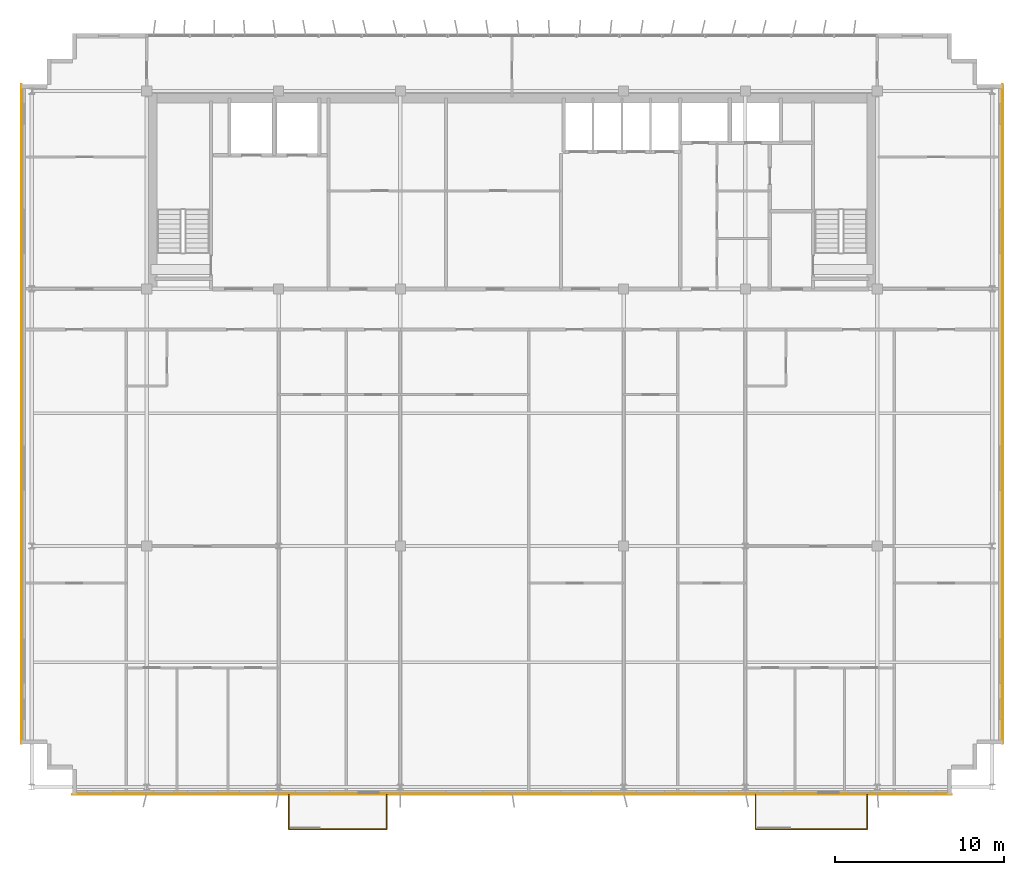
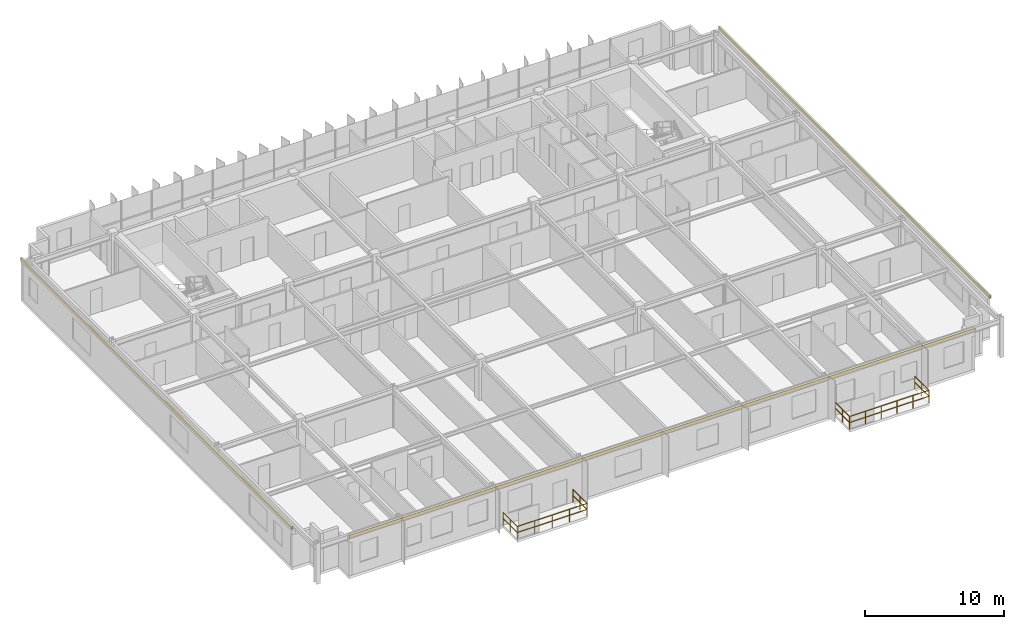
# One storey, part 21 of 22: 6 railings, 3 coverings.
"""IFC4 building model written with IfcOpenShell, lengths in metres."""

from ifc_helpers import new_model, si_unit, direction, frame, origin, origin_2d, place, context, subcontext, project, spatial, rectangle, extrude, source, transform, mapped, material, layer, layer_set, type_object, element, save


model = new_model("IFC4")

# Units and contexts
model_context = context("Model", 3, precision=1e-05, world=origin(), true_north=direction((0.0, 1.0)))
body_context = subcontext(model_context, "Body", "Model", "MODEL_VIEW")
ifc_project = project(units=[si_unit("LENGTHUNIT", "METRE"), si_unit("AREAUNIT", "SQUARE_METRE"), si_unit("VOLUMEUNIT", "CUBIC_METRE"), si_unit("PLANEANGLEUNIT", "RADIAN"), si_unit("MASSUNIT", "GRAM", prefix="KILO")], contexts=[model_context])

# Site, building, storey
site_placement = place(None, origin())
site = spatial("IfcSite", under=ifc_project, at=site_placement, CompositionType="ELEMENT")
building_placement = place(site_placement, origin())
building = spatial("IfcBuilding", under=site, at=building_placement, Name="Trelvane Seafront Commons", CompositionType="ELEMENT")
storey_placement = place(building_placement, frame((0.0, 0.0, 284.699951171875)))
storey = spatial("IfcBuildingStorey", under=building, at=storey_placement, Name="L74", CompositionType="ELEMENT", Elevation=284.699951171875)

# Railings
ifc_material_1 = material(Name="Stainless steel balustrade", Category="steel")
railing_type = type_object("IfcRailingType", Name="ARCH-RAIL-BAL1150", PredefinedType="BALUSTRADE", material=ifc_material_1)
railing_1_placement = place(storey_placement, frame((24.0, 3.5, 0.0)))
element("IfcRailing", 1, at=railing_1_placement, inside=storey, type_object=railing_type, Name="RL-L74-BAL0-01", PredefinedType="BALUSTRADE", context=body_context, shape_type="SweptSolid", body=[
    extrude(rectangle(XDim=0.048095703125, YDim=0.048095703125, at=origin_2d()), frame((0.0, 0.0, 1.1259765625), z_axis=(0.0, -1.0, 0.0), x_axis=(1.0, 0.0, 0.0)), (0.0, 0.0, 1.0), 2.0400390625),
    extrude(rectangle(XDim=0.048095703125, YDim=0.048095703125, at=origin_2d()), frame((0.0, 0.0, 0.597900390625), z_axis=(0.0, -1.0, 0.0), x_axis=(1.0, 0.0, 0.0)), (0.0, 0.0, 1.0), 2.0400390625),
    extrude(rectangle(XDim=0.0419921875, YDim=0.0419921875, at=origin_2d()), origin(), (0.0, 0.0, 1.0), 1.1259765625),
    extrude(rectangle(XDim=0.0419921875, YDim=0.0419921875, at=origin_2d()), frame((0.0, -1.02001953125, 0.0)), (0.0, 0.0, 1.0), 1.1259765625),
    extrude(rectangle(XDim=0.0419921875, YDim=0.0419921875, at=origin_2d()), frame((0.0, -2.0400390625, 0.0)), (0.0, 0.0, 1.0), 1.1259765625),
])
railing_2_placement = place(storey_placement, frame((24.0, 1.4599609375, 0.0)))
element("IfcRailing", 2, at=railing_2_placement, inside=storey, type_object=railing_type, Name="RL-L74-BAL0-02", PredefinedType="BALUSTRADE", context=body_context, shape_type="SweptSolid", body=[
    extrude(rectangle(XDim=0.048095703125, YDim=0.048095703125, at=origin_2d()), frame((0.0, 0.0, 1.1259765625), z_axis=(1.0, 0.0, 0.0), x_axis=(0.0, 1.0, 0.0)), (0.0, 0.0, 1.0), 5.800048828125),
    extrude(rectangle(XDim=0.048095703125, YDim=0.048095703125, at=origin_2d()), frame((0.0, 0.0, 0.597900390625), z_axis=(1.0, 0.0, 0.0), x_axis=(0.0, 1.0, 0.0)), (0.0, 0.0, 1.0), 5.800048828125),
    extrude(rectangle(XDim=0.0419921875, YDim=0.0419921875, at=origin_2d()), origin(), (0.0, 0.0, 1.0), 1.1259765625),
    extrude(rectangle(XDim=0.0419921875, YDim=0.0419921875, at=origin_2d()), frame((1.449951171875, 0.0, 0.0)), (0.0, 0.0, 1.0), 1.1259765625),
    extrude(rectangle(XDim=0.0419921875, YDim=0.0419921875, at=origin_2d()), frame((2.89990234375, 0.0, 0.0)), (0.0, 0.0, 1.0), 1.1259765625),
    extrude(rectangle(XDim=0.0419921875, YDim=0.0419921875, at=origin_2d()), frame((4.35009765625, 0.0, 0.0)), (0.0, 0.0, 1.0), 1.1259765625),
    extrude(rectangle(XDim=0.0419921875, YDim=0.0419921875, at=origin_2d()), frame((5.800048828125, 0.0, 0.0)), (0.0, 0.0, 1.0), 1.1259765625),
])
railing_3_placement = place(storey_placement, frame((29.800048828125, 1.4599609375, 0.0)))
element("IfcRailing", 3, at=railing_3_placement, inside=storey, type_object=railing_type, Name="RL-L74-BAL0-03", PredefinedType="BALUSTRADE", context=body_context, shape_type="SweptSolid", body=[
    extrude(rectangle(XDim=0.048095703125, YDim=0.048095703125, at=origin_2d()), frame((0.0, 0.0, 1.1259765625), z_axis=(0.0, 1.0, 0.0), x_axis=(-1.0, 0.0, 0.0)), (0.0, 0.0, 1.0), 2.0400390625),
    extrude(rectangle(XDim=0.048095703125, YDim=0.048095703125, at=origin_2d()), frame((0.0, 0.0, 0.597900390625), z_axis=(0.0, 1.0, 0.0), x_axis=(-1.0, 0.0, 0.0)), (0.0, 0.0, 1.0), 2.0400390625),
    extrude(rectangle(XDim=0.0419921875, YDim=0.0419921875, at=origin_2d()), origin(), (0.0, 0.0, 1.0), 1.1259765625),
    extrude(rectangle(XDim=0.0419921875, YDim=0.0419921875, at=origin_2d()), frame((0.0, 1.02001953125, 0.0)), (0.0, 0.0, 1.0), 1.1259765625),
    extrude(rectangle(XDim=0.0419921875, YDim=0.0419921875, at=origin_2d()), frame((0.0, 2.0400390625, 0.0)), (0.0, 0.0, 1.0), 1.1259765625),
])
railing_4_placement = place(storey_placement, frame((51.60009765625, 3.5, 0.0)))
element("IfcRailing", 4, at=railing_4_placement, inside=storey, type_object=railing_type, Name="RL-L74-BAL1-01", PredefinedType="BALUSTRADE", context=body_context, shape_type="SweptSolid", body=[
    extrude(rectangle(XDim=0.048095703125, YDim=0.048095703125, at=origin_2d()), frame((0.0, 0.0, 1.1259765625), z_axis=(0.0, -1.0, 0.0), x_axis=(1.0, 0.0, 0.0)), (0.0, 0.0, 1.0), 2.0400390625),
    extrude(rectangle(XDim=0.048095703125, YDim=0.048095703125, at=origin_2d()), frame((0.0, 0.0, 0.597900390625), z_axis=(0.0, -1.0, 0.0), x_axis=(1.0, 0.0, 0.0)), (0.0, 0.0, 1.0), 2.0400390625),
    extrude(rectangle(XDim=0.0419921875, YDim=0.0419921875, at=origin_2d()), origin(), (0.0, 0.0, 1.0), 1.1259765625),
    extrude(rectangle(XDim=0.0419921875, YDim=0.0419921875, at=origin_2d()), frame((0.0, -1.02001953125, 0.0)), (0.0, 0.0, 1.0), 1.1259765625),
    extrude(rectangle(XDim=0.0419921875, YDim=0.0419921875, at=origin_2d()), frame((0.0, -2.0400390625, 0.0)), (0.0, 0.0, 1.0), 1.1259765625),
])
railing_5_placement = place(storey_placement, frame((51.60009765625, 1.4599609375, 0.0)))
element("IfcRailing", 5, at=railing_5_placement, inside=storey, type_object=railing_type, Name="RL-L74-BAL1-02", PredefinedType="BALUSTRADE", context=body_context, shape_type="SweptSolid", body=[
    extrude(rectangle(XDim=0.048095703125, YDim=0.048095703125, at=origin_2d()), frame((0.0, 0.0, 1.1259765625), z_axis=(1.0, 0.0, 0.0), x_axis=(0.0, 1.0, 0.0)), (0.0, 0.0, 1.0), 6.599853515625),
    extrude(rectangle(XDim=0.048095703125, YDim=0.048095703125, at=origin_2d()), frame((0.0, 0.0, 0.597900390625), z_axis=(1.0, 0.0, 0.0), x_axis=(0.0, 1.0, 0.0)), (0.0, 0.0, 1.0), 6.599853515625),
    extrude(rectangle(XDim=0.0419921875, YDim=0.0419921875, at=origin_2d()), origin(), (0.0, 0.0, 1.0), 1.1259765625),
    extrude(rectangle(XDim=0.0419921875, YDim=0.0419921875, at=origin_2d()), frame((1.320068359375, 0.0, 0.0)), (0.0, 0.0, 1.0), 1.1259765625),
    extrude(rectangle(XDim=0.0419921875, YDim=0.0419921875, at=origin_2d()), frame((2.639892578125, 0.0, 0.0)), (0.0, 0.0, 1.0), 1.1259765625),
    extrude(rectangle(XDim=0.0419921875, YDim=0.0419921875, at=origin_2d()), frame((3.9599609375, 0.0, 0.0)), (0.0, 0.0, 1.0), 1.1259765625),
    extrude(rectangle(XDim=0.0419921875, YDim=0.0419921875, at=origin_2d()), frame((5.27978515625, 0.0, 0.0)), (0.0, 0.0, 1.0), 1.1259765625),
    extrude(rectangle(XDim=0.0419921875, YDim=0.0419921875, at=origin_2d()), frame((6.599853515625, 0.0, 0.0)), (0.0, 0.0, 1.0), 1.1259765625),
])
railing_6_placement = place(storey_placement, frame((58.199951171875, 1.4599609375, 0.0)))
element("IfcRailing", 6, at=railing_6_placement, inside=storey, type_object=railing_type, Name="RL-L74-BAL1-03", PredefinedType="BALUSTRADE", context=body_context, shape_type="SweptSolid", body=[
    extrude(rectangle(XDim=0.048095703125, YDim=0.048095703125, at=origin_2d()), frame((0.0, 0.0, 1.1259765625), z_axis=(0.0, 1.0, 0.0), x_axis=(-1.0, 0.0, 0.0)), (0.0, 0.0, 1.0), 2.0400390625),
    extrude(rectangle(XDim=0.048095703125, YDim=0.048095703125, at=origin_2d()), frame((0.0, 0.0, 0.597900390625), z_axis=(0.0, 1.0, 0.0), x_axis=(-1.0, 0.0, 0.0)), (0.0, 0.0, 1.0), 2.0400390625),
    extrude(rectangle(XDim=0.0419921875, YDim=0.0419921875, at=origin_2d()), origin(), (0.0, 0.0, 1.0), 1.1259765625),
    extrude(rectangle(XDim=0.0419921875, YDim=0.0419921875, at=origin_2d()), frame((0.0, 1.02001953125, 0.0)), (0.0, 0.0, 1.0), 1.1259765625),
    extrude(rectangle(XDim=0.0419921875, YDim=0.0419921875, at=origin_2d()), frame((0.0, 2.0400390625, 0.0)), (0.0, 0.0, 1.0), 1.1259765625),
])

# Coverings
ifc_material_2 = material(Name="Anodised pale-silver aluminium", Category="aluminium")
ifc_layer = layer(ifc_material_2, 0.034912109375, Name="ARCH-COV-CLAD35")
ifc_layer_set = layer_set([ifc_layer], Name="Anodised pale-silver aluminium")
covering_type = type_object("IfcCoveringType", Name="ARCH-COV-CLAD35", PredefinedType="CLADDING", material=ifc_layer_set)
shared_shape_1 = source(origin(), body_context, "Body", "SweptSolid", [
    extrude(rectangle(XDim=39.0, YDim=0.034912109375, at=origin_2d()), origin(), (0.0, 0.0, 1.0), 0.27001953125),
])
for number, where, z_axis, x_axis, name in (
    (7, (8.199951171875, 26.0, 3.330078125), (0.0, 0.0, 1.0), (0.0, 1.0, 0.0), "CLD-L74-00293"),
    (8, (66.199951171875, 26.0, 3.330078125), (0.0, 0.0, 1.0), (0.0, -1.0, 0.0), "CLD-L74-00294"),
):
    element("IfcCovering", number, at=place(storey_placement, frame(where, z_axis=z_axis, x_axis=x_axis)), inside=storey, type_object=covering_type, Name=name, PredefinedType="CLADDING", context=body_context, shape_type="MappedRepresentation", body=[
        mapped(shared_shape_1, transform((0.0, 0.0, 0.0), x_axis=(1.0, 0.0, 0.0), y_axis=(0.0, 1.0, 0.0), z_axis=(0.0, 0.0, 1.0), scale=1.0)),
    ])
shared_shape_2 = source(origin(), body_context, "Body", "SweptSolid", [
    extrude(rectangle(XDim=52.0, YDim=0.034912109375, at=origin_2d()), origin(), (0.0, 0.0, 1.0), 0.27001953125),
])
covering_placement = place(storey_placement, frame((37.199951171875, 3.5, 3.330078125), z_axis=(0.0, 0.0, 1.0), x_axis=(-1.0, 0.0, 0.0)))
element("IfcCovering", 9, at=covering_placement, inside=storey, type_object=covering_type, Name="CLD-L74-00295", PredefinedType="CLADDING", context=body_context, shape_type="MappedRepresentation", body=[
    mapped(shared_shape_2, transform((0.0, 0.0, 0.0), x_axis=(1.0, 0.0, 0.0), y_axis=(0.0, 1.0, 0.0), z_axis=(0.0, 0.0, 1.0), scale=1.0)),
])

save(model, "model.ifc")
